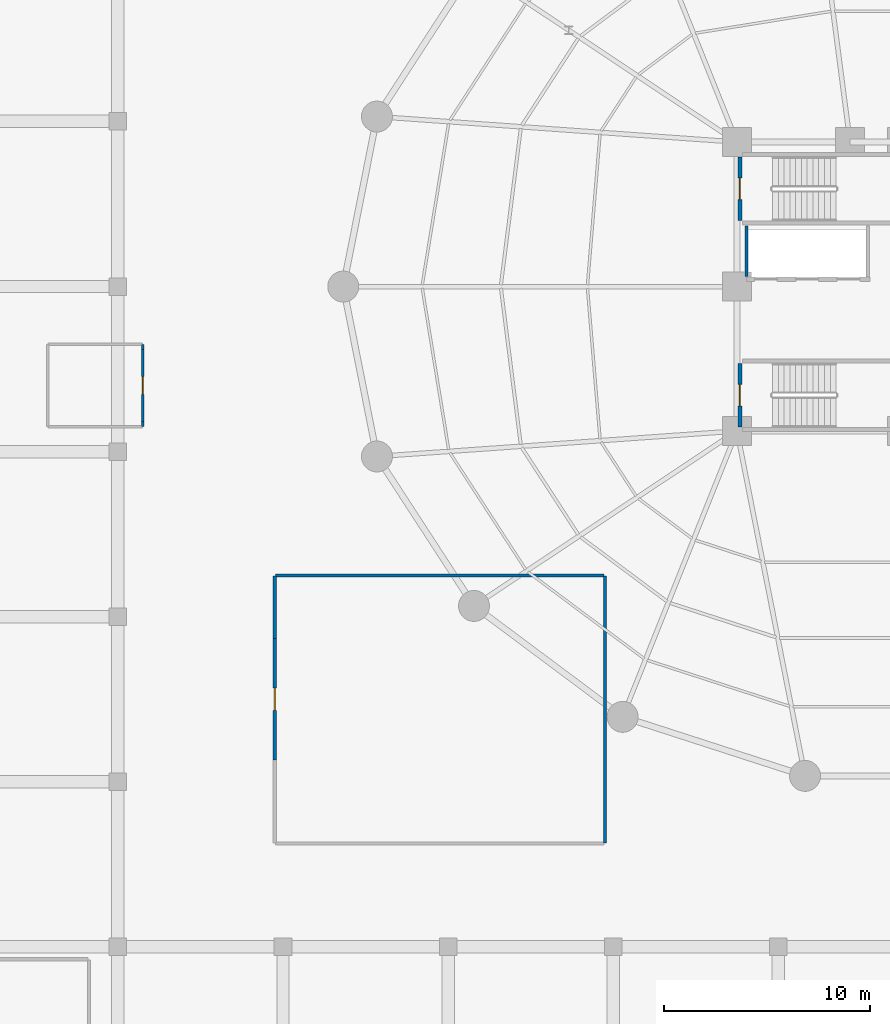
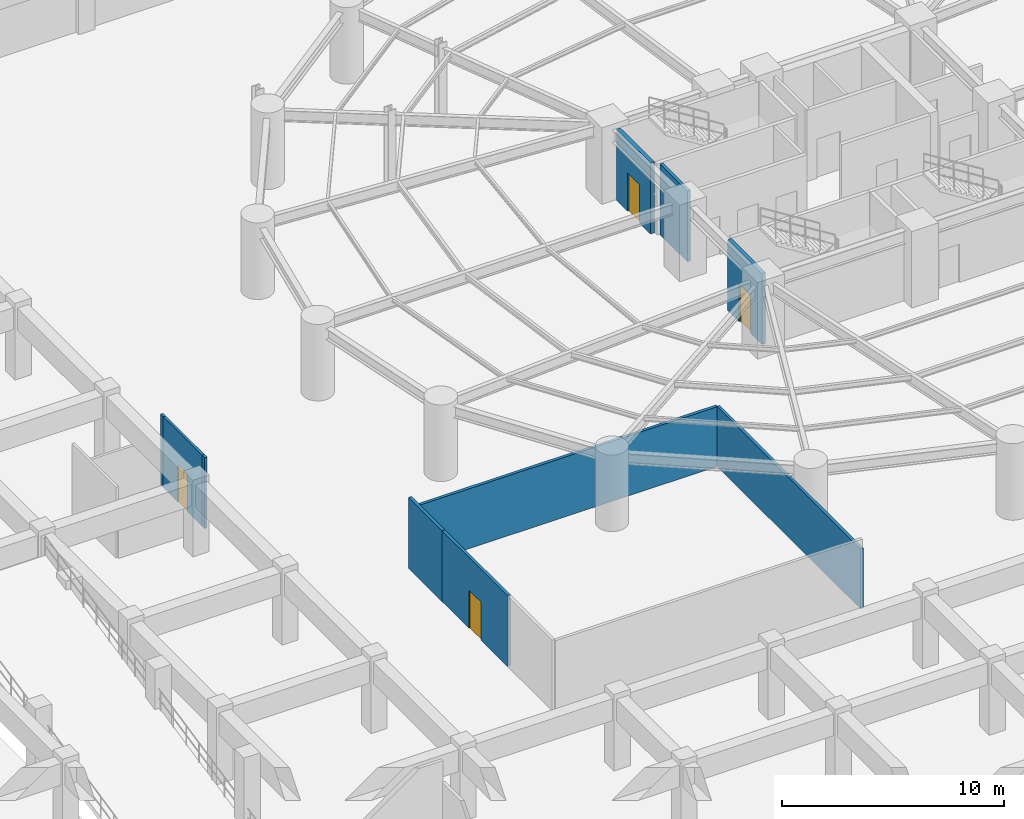
# One storey, part 11 of 20: 10 walls, 4 doors, 4 openings.
"""IFC4 building model written with IfcOpenShell, lengths in metres."""

import ifcopenshell
import ifcopenshell.guid

model = None  # the IFC model being written
_history = None  # IfcOwnerHistory: only IFC2X3 demands one
_inside = {}  # id of a spatial element -> (the spatial element, [elements in it])
_under = {}  # id of a project, library or spatial element -> (it, [spatial elements below it])
_declared = {}  # id of a project -> (the project, [libraries it declares])
_typed = {}  # id of a type object -> (the type object, [elements of that type])
_made_of = {}  # id of a material, layer set ... -> (it, [elements and type objects made of it])


def new_model(schema):
    """Start an empty IFC model of exactly this schema.

    Asked for "IFC4X3", IfcOpenShell would pick the latest addendum, in which some entities
    have other attributes; the version numbers below select the first issue.
    IFC2X3 requires an IfcOwnerHistory on every rooted entity: one is made here for all.
    """
    global model, _history
    if schema == "IFC4X3":
        model = ifcopenshell.file(schema_version=(4, 3, 0, 0))
    else:
        model = ifcopenshell.file(schema=schema)
    _inside.clear()
    _under.clear()
    _declared.clear()
    _typed.clear()
    _made_of.clear()
    _history = None
    if model.schema == "IFC2X3":
        org = make("IfcOrganization", Name="unknown")
        user = make(
            "IfcPersonAndOrganization",
            ThePerson=make("IfcPerson", FamilyName="unknown"),
            TheOrganization=org,
        )
        app = make(
            "IfcApplication",
            ApplicationDeveloper=org,
            Version="unknown",
            ApplicationFullName="unknown",
            ApplicationIdentifier="unknown",
        )
        _history = make(
            "IfcOwnerHistory",
            OwningUser=user,
            OwningApplication=app,
            ChangeAction="ADDED",
            CreationDate=0,
        )
    return model


def make(cls, **values):
    """One entity of the class cls with the attributes given. An attribute that is None is left unset."""
    return model.create_entity(
        cls, **{name: value for name, value in values.items() if value is not None}
    )


def rooted(cls, **values):
    """An entity with a GlobalId (a new one), such as an element, a storey or a relation."""
    return make(cls, GlobalId=ifcopenshell.guid.new(), OwnerHistory=_history, **values)


def si_unit(unit_type, name, prefix=None):
    """IfcSIUnit, for example si_unit("LENGTHUNIT", "METRE", prefix="MILLI")."""
    return make("IfcSIUnit", UnitType=unit_type, Prefix=prefix, Name=name)


def assignment(units):
    """IfcUnitAssignment: the units of a project."""
    return None if units is None else make("IfcUnitAssignment", Units=units)


def point(xyz):
    """IfcCartesianPoint."""
    return None if xyz is None else make("IfcCartesianPoint", Coordinates=xyz)


def direction(xyz):
    """IfcDirection."""
    return None if xyz is None else make("IfcDirection", DirectionRatios=xyz)


def frame(location, z_axis=None, x_axis=None):
    """IfcAxis2Placement3D, a coordinate frame: its origin and axes. An axis left out is left unset."""
    return make(
        "IfcAxis2Placement3D",
        Location=point(location),
        Axis=direction(z_axis),
        RefDirection=direction(x_axis),
    )


def frame_2d(location, x_axis=None):
    """IfcAxis2Placement2D, a coordinate frame in the plane: its origin and x axis."""
    return make(
        "IfcAxis2Placement2D", Location=point(location), RefDirection=direction(x_axis)
    )


def origin():
    """The frame at (0, 0, 0) with its axes left unset."""
    return frame((0.0, 0.0, 0.0))


def place(relative_to, where):
    """IfcLocalPlacement: puts the frame where relative to a parent placement (None: the world)."""
    return make(
        "IfcLocalPlacement", PlacementRelTo=relative_to, RelativePlacement=where
    )


def context(
    kind, dimensions, precision=None, world=None, true_north=None, identifier=None
):
    """IfcGeometricRepresentationContext, for example the 3D "Model" context."""
    return make(
        "IfcGeometricRepresentationContext",
        ContextIdentifier=identifier,
        ContextType=kind,
        CoordinateSpaceDimension=dimensions,
        Precision=precision,
        WorldCoordinateSystem=world,
        TrueNorth=true_north,
    )


def subcontext(parent, identifier, kind, view, scale=None):
    """IfcGeometricRepresentationSubContext, for example "Body" below "Model"."""
    return make(
        "IfcGeometricRepresentationSubContext",
        ContextIdentifier=identifier,
        ContextType=kind,
        ParentContext=parent,
        TargetScale=scale,
        TargetView=view,
    )


def project(units=None, contexts=None):
    """IfcProject with its units and contexts."""
    return rooted(
        "IfcProject",
        Name="project",
        RepresentationContexts=contexts,
        UnitsInContext=assignment(units),
    )


def spatial(cls, under=None, at=None, **own):
    """A site, building, storey or space (cls), placed at a placement, below another one or the project."""
    s = rooted(cls, ObjectPlacement=at, **own)
    if under is not None:
        _under.setdefault(under.id(), (under, []))[1].append(s)
    return s


def profile(cls, at=None, kind="AREA", **sizes):
    """A parametric profile (cls). Its sizes go by their IFC names, for example OverallWidth=200.0."""
    return make(cls, ProfileType=kind, Position=at, **sizes)


def rectangle(**sizes):
    """IfcRectangleProfileDef."""
    return profile("IfcRectangleProfileDef", **sizes)


def extrude(swept, where, along, depth):
    """IfcExtrudedAreaSolid: the profile swept, set in the frame where, extruded along a direction by depth."""
    return make(
        "IfcExtrudedAreaSolid",
        SweptArea=swept,
        Position=where,
        ExtrudedDirection=direction(along),
        Depth=depth,
    )


def shape(context_of_items, identifier, shape_type, items):
    """IfcShapeRepresentation: the items that make up one representation, for example the "Body"."""
    return make(
        "IfcShapeRepresentation",
        ContextOfItems=context_of_items,
        RepresentationIdentifier=identifier,
        RepresentationType=shape_type,
        Items=items,
    )


def material(Name=None, Category=None):
    """IfcMaterial."""
    return make("IfcMaterial", Name=Name, Category=Category)


def layer(
    of_material, thickness, ventilated=None, Name=None, Category=None, Priority=None
):
    """IfcMaterialLayer: one layer of a wall or slab, of a material (None: an air gap)."""
    return make(
        "IfcMaterialLayer",
        Material=of_material,
        LayerThickness=thickness,
        IsVentilated=ventilated,
        Name=Name,
        Category=Category,
        Priority=Priority,
    )


def layer_set(layers, Name=None):
    """IfcMaterialLayerSet."""
    return make("IfcMaterialLayerSet", MaterialLayers=layers, LayerSetName=Name)


def made_of(thing, what):
    """Note that an element or type object is made of a material, layer set ...; save() writes the relation."""
    if what is not None:
        _made_of.setdefault(what.id(), (what, []))[1].append(thing)
    return thing


def type_object(cls, material=None, **own):
    """A type object (cls), such as IfcWallType, which elements share."""
    return made_of(rooted(cls, **own), material)


def element(
    cls,
    number,
    at=None,
    inside=None,
    cuts=None,
    type_object=None,
    material=None,
    context=None,
    identifier="Body",
    shape_type=None,
    held_by="IfcProductDefinitionShape",
    body=None,
    shapes=None,
    **own,
):
    """One element of the class cls, such as IfcWall. Its Tag is "e" and its number.

    at: its placement. inside: the storey or other place that contains it. cuts: it is an
    opening in that element (IfcRelVoidsElement). A single representation is given by context,
    identifier, shape_type and body (its items); several are given by shapes. held_by: the class
    of the entity that holds the representations. save() writes the other relations.
    """
    e = rooted(cls, Tag="e%d" % number, ObjectPlacement=at, **own)
    if body is not None:
        shapes = [shape(context, identifier, shape_type, body)]
    if shapes is not None:
        e.Representation = make(held_by, Representations=shapes)
    if inside is not None:
        _inside.setdefault(inside.id(), (inside, []))[1].append(e)
    if cuts is not None:
        rooted(
            "IfcRelVoidsElement", RelatingBuildingElement=cuts, RelatedOpeningElement=e
        )
    if type_object is not None:
        _typed.setdefault(type_object.id(), (type_object, []))[1].append(e)
    return made_of(e, material)


def fill(opening, filler):
    """IfcRelFillsElement: the door or window that sits in an opening."""
    return rooted(
        "IfcRelFillsElement",
        RelatingOpeningElement=opening,
        RelatedBuildingElement=filler,
    )


def aggregate(whole, parts):
    """IfcRelAggregates: a whole, such as a stair, and the parts it consists of."""
    return rooted("IfcRelAggregates", RelatingObject=whole, RelatedObjects=parts)


def save(model, path):
    """Write the relations noted so far, then the file.

    IfcRelAggregates (storeys below a building ...), IfcRelContainedInSpatialStructure (elements
    in a storey), IfcRelDefinesByType, IfcRelAssociatesMaterial and IfcRelDeclares: one each for
    every whole, place, type object, material and project.
    """
    for whole, parts in _under.values():
        aggregate(whole, parts)
    for where, things in _inside.values():
        rooted(
            "IfcRelContainedInSpatialStructure",
            RelatedElements=things,
            RelatingStructure=where,
        )
    for kind, things in _typed.values():
        rooted("IfcRelDefinesByType", RelatedObjects=things, RelatingType=kind)
    for what, things in _made_of.values():
        rooted("IfcRelAssociatesMaterial", RelatedObjects=things, RelatingMaterial=what)
    for by, libraries in _declared.values():
        rooted("IfcRelDeclares", RelatingContext=by, RelatedDefinitions=libraries)
    model.write(path)


model = new_model("IFC4")

# Units and contexts
model_context = context("Model", 3, precision=1e-05, world=origin(), true_north=direction((0.0, 1.0)))
body_context = subcontext(model_context, "Body", "Model", "MODEL_VIEW")
ifc_project = project(units=[si_unit("LENGTHUNIT", "METRE"), si_unit("AREAUNIT", "SQUARE_METRE"), si_unit("VOLUMEUNIT", "CUBIC_METRE"), si_unit("PLANEANGLEUNIT", "RADIAN"), si_unit("MASSUNIT", "GRAM", prefix="KILO")], contexts=[model_context])

# Site, building, storey
site_placement = place(None, origin())
site = spatial("IfcSite", under=ifc_project, at=site_placement, CompositionType="ELEMENT")
building_placement = place(site_placement, origin())
building = spatial("IfcBuilding", under=site, at=building_placement, Name="Kelanora Arch Commons", CompositionType="ELEMENT")
storey_placement = place(building_placement, frame((0.0, 0.0, -4.199951171875)))
storey = spatial("IfcBuildingStorey", under=building, at=storey_placement, Name="B01", CompositionType="ELEMENT", Elevation=-4.199951171875)

# Wall
ifc_material_1 = material(Name="Autoclaved aerated concrete blockwork with fire plaster", Category="masonry")
ifc_layer_1 = layer(ifc_material_1, 0.14990234375)
ifc_layer_set_1 = layer_set([ifc_layer_1], Name="Autoclaved aerated concrete blockwork with fire plaster")
wall_type_1 = type_object("IfcWallType", Name="W-COMP-150", PredefinedType="PARTITIONING", material=ifc_layer_set_1)
wall_1_placement = place(storey_placement, frame((66.4599609375, 58.47998046875, 0.0), z_axis=(0.0, 0.0, 1.0), x_axis=(0.0, 1.0, 0.0)))
element("IfcWall", 1, at=wall_1_placement, inside=storey, type_object=wall_type_1, Name="Low-Rise Lift Bank West Wall B01", PredefinedType="PARTITIONING", context=body_context, shape_type="SweptSolid", body=[
    extrude(rectangle(XDim=2.4599609375, YDim=0.14990234375, at=frame_2d((1.22998046875, 0.0))), origin(), (0.0, 0.0, 1.0), 3.889892578125),
])

# Wall, opening, door
wall_2_placement = place(storey_placement, frame((43.60009765625, 35.06005859375, 0.0), z_axis=(0.0, 0.0, 1.0), x_axis=(0.0, 1.0, 0.0)))
wall_2 = element("IfcWall", 2, at=wall_2_placement, inside=storey, type_object=wall_type_1, Name="Monsoon Attenuation and Fire Water Tank Room B01 Entry Partition", PredefinedType="PARTITIONING", context=body_context, shape_type="SweptSolid", body=[
    extrude(rectangle(XDim=5.8798828125, YDim=0.14990234375, at=frame_2d((2.93994140625, 0.0))), origin(), (0.0, 0.0, 1.0), 3.889892578125),
])
opening_1_placement = place(wall_2_placement, frame((2.39990234375, 0.0, 0.0)))
opening_1 = element("IfcOpeningElement", 3, at=opening_1_placement, cuts=wall_2, Name="Opening D-PLT1", PredefinedType="OPENING", context=body_context, shape_type="SweptSolid", body=[
    extrude(rectangle(XDim=1.080078125, YDim=2.10009765625, at=frame_2d((0.5400390625, 1.050048828125))), frame((0.0, 0.0849609375, 0.0), z_axis=(0.0, -1.0, 0.0), x_axis=(1.0, 0.0, 0.0)), (0.0, 0.0, 1.0), 0.169921875),
])
ifc_material_2 = material(Name="Galvanised steel plant and riser fire door", Category="steel")
door_type_1 = type_object("IfcDoorType", Name="D-PLT-110", OperationType="NOTDEFINED", PredefinedType="DOOR", material=ifc_material_2)
door_1_placement = place(opening_1_placement, origin())
door_1 = element("IfcDoor", 4, at=door_1_placement, inside=storey, type_object=door_type_1, Name="Monsoon Attenuation and Fire Water Tank Room B01 Door", OperationType="SINGLE_SWING_RIGHT", OverallHeight=2.10009765625, OverallWidth=1.080078125, PredefinedType="DOOR", context=body_context, shape_type="SweptSolid", body=[
    extrude(rectangle(XDim=1.080078125, YDim=2.10009765625, at=frame_2d((0.5400390625, 1.050048828125))), frame((0.0, 0.02490234375, 0.0), z_axis=(0.0, -1.0, 0.0), x_axis=(1.0, 0.0, 0.0)), (0.0, 0.0, 1.0), 0.050048828125),
])
fill(opening_1, door_1)

# Walls
wall_3_placement = place(storey_placement, frame((59.60009765625, 31.0400390625, 0.0), z_axis=(0.0, 0.0, 1.0), x_axis=(0.0, 1.0, 0.0)))
element("IfcWall", 5, at=wall_3_placement, inside=storey, type_object=wall_type_1, Name="Monsoon Attenuation and Fire Water Tank Room B01 Enclosure Partition 2", PredefinedType="PARTITIONING", context=body_context, shape_type="SweptSolid", body=[
    extrude(rectangle(XDim=12.919921875, YDim=0.14990234375, at=frame_2d((6.4599609375, 0.0))), origin(), (0.0, 0.0, 1.0), 3.284912109375),
])
wall_4_placement = place(storey_placement, frame((59.56005859375, 44.0, 0.0), z_axis=(0.0, 0.0, 1.0), x_axis=(-1.0, 0.0, 0.0)))
element("IfcWall", 6, at=wall_4_placement, inside=storey, type_object=wall_type_1, Name="Monsoon Attenuation and Fire Water Tank Room B01 Enclosure Partition 3", PredefinedType="PARTITIONING", context=body_context, shape_type="SweptSolid", body=[
    extrude(rectangle(XDim=15.920166015625, YDim=0.14990234375, at=frame_2d((7.9599609375, 0.0))), origin(), (0.0, 0.0, 1.0), 3.284912109375),
])
wall_5_placement = place(storey_placement, frame((43.60009765625, 43.9599609375, 0.0), z_axis=(0.0, 0.0, 1.0), x_axis=(0.0, -1.0, 0.0)))
element("IfcWall", 7, at=wall_5_placement, inside=storey, type_object=wall_type_1, Name="Monsoon Attenuation and Fire Water Tank Room B01 Enclosure Partition 4", PredefinedType="PARTITIONING", context=body_context, shape_type="SweptSolid", body=[
    extrude(rectangle(XDim=3.02001953125, YDim=0.14990234375, at=frame_2d((1.510009765625, 0.0))), origin(), (0.0, 0.0, 1.0), 3.889892578125),
])

# Wall, opening, door
ifc_material_3 = material(Name="Concrete C40/50", Category="concrete")
ifc_layer_2 = layer(ifc_material_3, 0.199951171875)
ifc_layer_set_2 = layer_set([ifc_layer_2], Name="Concrete C40/50")
wall_type_2 = type_object("IfcWallType", Name="W-STAIR-200", PredefinedType="SHEAR", material=ifc_layer_set_2)
wall_6_placement = place(storey_placement, frame((66.139892578125, 64.27001953125, 0.0), z_axis=(0.0, 0.0, 1.0), x_axis=(0.0, -1.0, 0.0)))
wall_6 = element("IfcWall", 8, at=wall_6_placement, inside=storey, type_object=wall_type_2, Name="Stair ST-T1 Shaft Wall W B01", PredefinedType="SHEAR", context=body_context, shape_type="SweptSolid", body=[
    extrude(rectangle(XDim=3.070068359375, YDim=0.199951171875, at=frame_2d((1.53515625, 0.0))), origin(), (0.0, 0.0, 1.0), 3.89990234375),
])
opening_2_placement = place(wall_6_placement, frame((1.010009765625, 0.0, 0.0)))
opening_2 = element("IfcOpeningElement", 9, at=opening_2_placement, cuts=wall_6, Name="Opening D-ST1", PredefinedType="OPENING", context=body_context, shape_type="SweptSolid", body=[
    extrude(rectangle(XDim=1.050048828125, YDim=2.10009765625, at=frame_2d((0.52490234375, 1.050048828125))), frame((0.0, 0.10986328125, 0.0), z_axis=(0.0, -1.0, 0.0), x_axis=(1.0, 0.0, 0.0)), (0.0, 0.0, 1.0), 0.219970703125),
])
ifc_material_4 = material(Name="Steel fire-rated stairwell escape door", Category="steel")
door_type_2 = type_object("IfcDoorType", Name="D-STAIR-110", OperationType="NOTDEFINED", PredefinedType="DOOR", material=ifc_material_4)
door_2_placement = place(opening_2_placement, origin())
door_2 = element("IfcDoor", 10, at=door_2_placement, inside=storey, type_object=door_type_2, Name="Stair ST-T1 Escape Door B01", OperationType="SINGLE_SWING_LEFT", OverallHeight=2.10009765625, OverallWidth=1.050048828125, PredefinedType="DOOR", context=body_context, shape_type="SweptSolid", body=[
    extrude(rectangle(XDim=1.050048828125, YDim=2.10009765625, at=frame_2d((0.52490234375, 1.050048828125))), frame((0.0, 0.02490234375, 0.0), z_axis=(0.0, -1.0, 0.0), x_axis=(1.0, 0.0, 0.0)), (0.0, 0.0, 1.0), 0.050048828125),
])
fill(opening_2, door_2)

wall_7_placement = place(storey_placement, frame((66.139892578125, 54.27001953125, 0.0), z_axis=(0.0, 0.0, 1.0), x_axis=(0.0, -1.0, 0.0)))
wall_7 = element("IfcWall", 11, at=wall_7_placement, inside=storey, type_object=wall_type_2, Name="Stair ST-T3 Shaft Wall W B01", PredefinedType="SHEAR", context=body_context, shape_type="SweptSolid", body=[
    extrude(rectangle(XDim=3.070068359375, YDim=0.199951171875, at=frame_2d((1.53515625, 0.0))), origin(), (0.0, 0.0, 1.0), 3.89990234375),
])
opening_3_placement = place(wall_7_placement, frame((1.010009765625, 0.0, 0.0)))
opening_3 = element("IfcOpeningElement", 12, at=opening_3_placement, cuts=wall_7, Name="Opening D-ST1", PredefinedType="OPENING", context=body_context, shape_type="SweptSolid", body=[
    extrude(rectangle(XDim=1.050048828125, YDim=2.10009765625, at=frame_2d((0.52490234375, 1.050048828125))), frame((0.0, 0.10986328125, 0.0), z_axis=(0.0, -1.0, 0.0), x_axis=(1.0, 0.0, 0.0)), (0.0, 0.0, 1.0), 0.219970703125),
])
door_3_placement = place(opening_3_placement, origin())
door_3 = element("IfcDoor", 13, at=door_3_placement, inside=storey, type_object=door_type_2, Name="Stair ST-T3 Escape Door B01", OperationType="SINGLE_SWING_LEFT", OverallHeight=2.10009765625, OverallWidth=1.050048828125, PredefinedType="DOOR", context=body_context, shape_type="SweptSolid", body=[
    extrude(rectangle(XDim=1.050048828125, YDim=2.10009765625, at=frame_2d((0.52490234375, 1.050048828125))), frame((0.0, 0.02490234375, 0.0), z_axis=(0.0, -1.0, 0.0), x_axis=(1.0, 0.0, 0.0)), (0.0, 0.0, 1.0), 0.050048828125),
])
fill(opening_3, door_3)

ifc_material_5 = material(Name="Moisture-resistant fire-rated cement-board plumbing wall")
ifc_layer_3 = layer(ifc_material_5, 0.1298828125)
ifc_layer_set_3 = layer_set([ifc_layer_3], Name="Moisture-resistant fire-rated cement-board plumbing wall")
wall_type_3 = type_object("IfcWallType", Name="W-WET-120", PredefinedType="PLUMBINGWALL", material=ifc_layer_set_3)
wall_8_placement = place(storey_placement, frame((37.199951171875, 51.4599609375, 0.0), z_axis=(0.0, 0.0, 1.0), x_axis=(0.0, 1.0, 0.0)))
wall_8 = element("IfcWall", 14, at=wall_8_placement, inside=storey, type_object=wall_type_3, Name="Accessible Staff Toilet B01 Entry Partition", PredefinedType="PLUMBINGWALL", context=body_context, shape_type="SweptSolid", body=[
    extrude(rectangle(XDim=3.47998046875, YDim=0.1298828125, at=frame_2d((1.739990234375, 0.0))), origin(), (0.0, 0.0, 1.0), 3.889892578125),
])
opening_4_placement = place(wall_8_placement, frame((1.31005859375, 0.0, 0.0)))
opening_4 = element("IfcOpeningElement", 15, at=opening_4_placement, cuts=wall_8, Name="Opening D-BT1", PredefinedType="OPENING", context=body_context, shape_type="SweptSolid", body=[
    extrude(rectangle(XDim=0.860107421875, YDim=2.050048828125, at=frame_2d((0.43017578125, 1.02490234375))), frame((0.0, 0.074951171875, 0.0), z_axis=(0.0, -1.0, 0.0), x_axis=(1.0, 0.0, 0.0)), (0.0, 0.0, 1.0), 0.14990234375),
])
ifc_material_6 = material(Name="Moisture-sealed fire-rated accessible bathroom door")
door_type_3 = type_object("IfcDoorType", Name="D-BATH-85", OperationType="NOTDEFINED", PredefinedType="DOOR", material=ifc_material_6)
door_4_placement = place(opening_4_placement, origin())
door_4 = element("IfcDoor", 16, at=door_4_placement, inside=storey, type_object=door_type_3, Name="Accessible Staff Toilet B01 Door", OperationType="SINGLE_SWING_RIGHT", OverallHeight=2.050048828125, OverallWidth=0.860107421875, PredefinedType="DOOR", context=body_context, shape_type="SweptSolid", body=[
    extrude(rectangle(XDim=0.860107421875, YDim=2.050048828125, at=frame_2d((0.43017578125, 1.02490234375))), frame((0.0, 0.02490234375, 0.0), z_axis=(0.0, -1.0, 0.0), x_axis=(1.0, 0.0, 0.0)), (0.0, 0.0, 1.0), 0.050048828125),
])
fill(opening_4, door_4)

# Walls
for number, where, z_axis, x_axis, name in (
    (17, (37.199951171875, 51.219970703125, 0.0), (0.0, 0.0, 1.0), (0.0, 1.0, 0.0), "Accessible Staff Toilet B01 Enclosure Partition 2"),
    (18, (37.199951171875, 54.93994140625, 0.0), (0.0, 0.0, 1.0), (0.0, 1.0, 0.0), "Accessible Staff Toilet B01 Enclosure Partition 2"),
):
    element("IfcWall", number, at=place(storey_placement, frame(where, z_axis=z_axis, x_axis=x_axis)), inside=storey, type_object=wall_type_3, Name=name, PredefinedType="PLUMBINGWALL", context=body_context, shape_type="SweptSolid", body=[
        extrude(rectangle(XDim=0.239990234375, YDim=0.1298828125, at=frame_2d((0.1201171875, 0.0))), origin(), (0.0, 0.0, 1.0), 3.889892578125),
    ])

save(model, "model.ifc")
